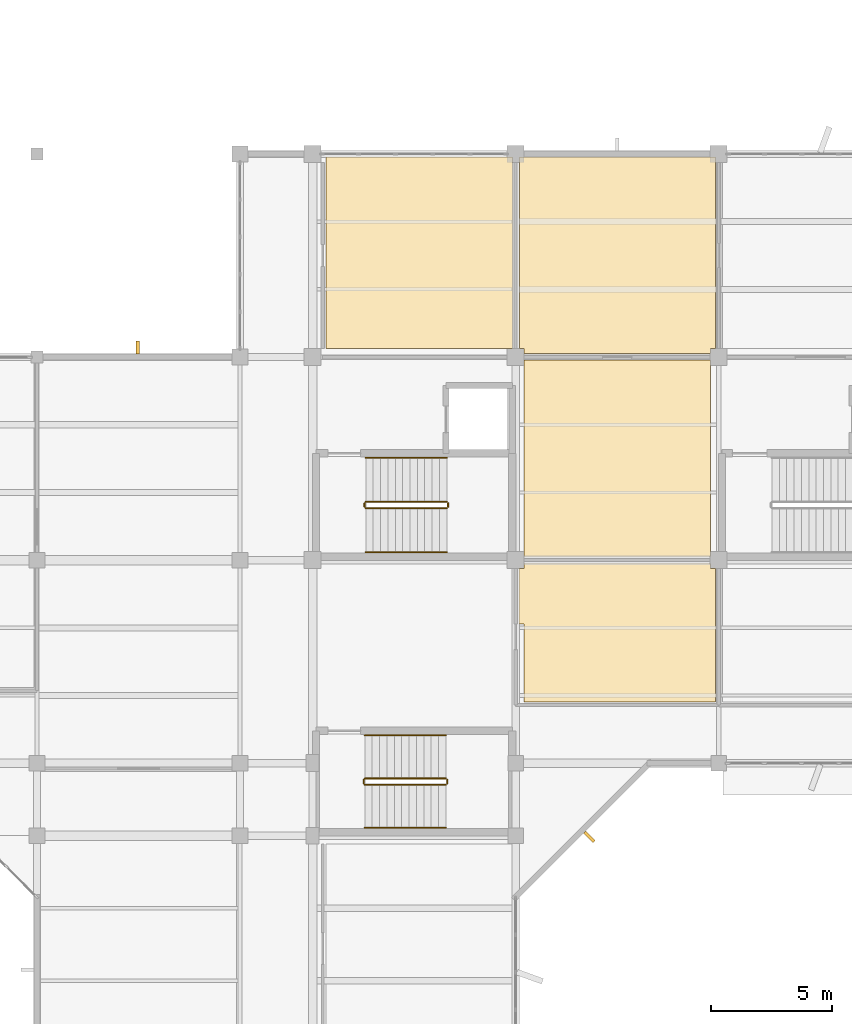
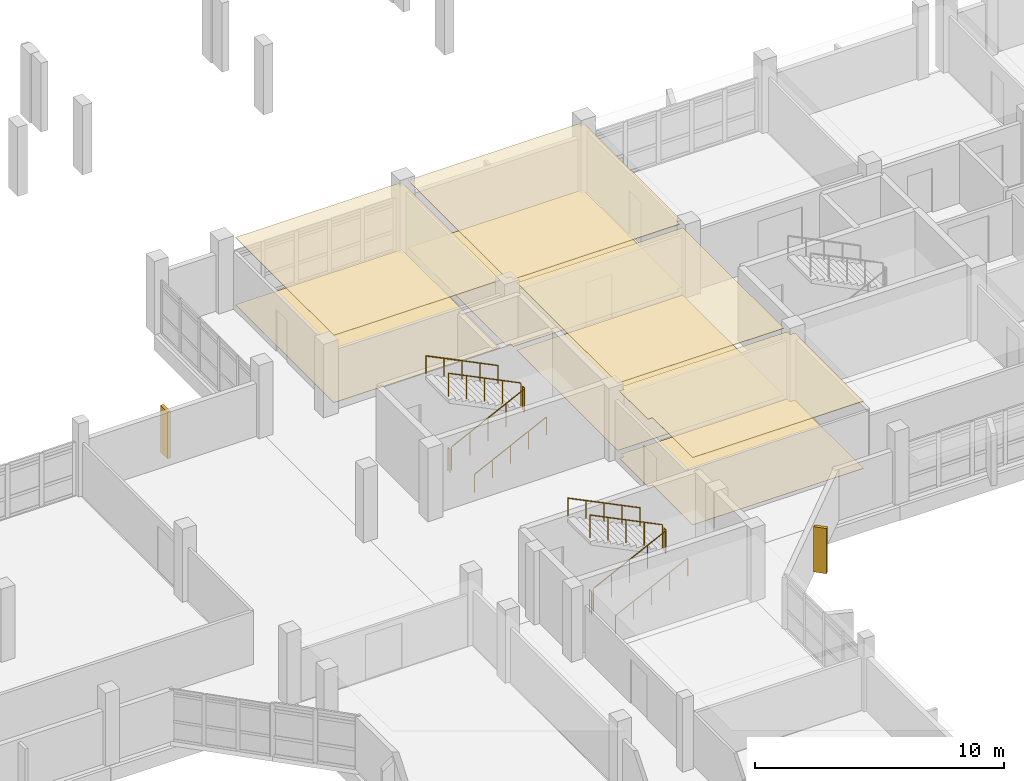
# One storey, part 97 of 104: 12 railings, 8 coverings, 2 shading devices.
"""IFC4 building model written with IfcOpenShell, lengths in metres."""

from ifc_helpers import new_model, si_unit, direction, frame, origin, origin_2d, place, context, subcontext, project, spatial, polyline, rectangle, circle, outline, extrude, material, layer, layer_set, type_object, element, save


model = new_model("IFC4")

# Units and contexts
model_context = context("Model", 3, precision=1e-05, world=origin(), true_north=direction((0.0, 1.0)))
body_context = subcontext(model_context, "Body", "Model", "MODEL_VIEW")
ifc_project = project(units=[si_unit("LENGTHUNIT", "METRE"), si_unit("AREAUNIT", "SQUARE_METRE"), si_unit("VOLUMEUNIT", "CUBIC_METRE"), si_unit("PLANEANGLEUNIT", "RADIAN"), si_unit("MASSUNIT", "GRAM", prefix="KILO")], contexts=[model_context])

# Site, building, storey
site_placement = place(None, origin())
site = spatial("IfcSite", under=ifc_project, at=site_placement, CompositionType="ELEMENT")
building_placement = place(site_placement, origin())
building = spatial("IfcBuilding", under=site, at=building_placement, Name="Vanh Quang Courtyard School", CompositionType="ELEMENT")
storey_placement = place(building_placement, frame((0.0, 0.0, 4.199951171875)))
storey = spatial("IfcBuildingStorey", under=building, at=storey_placement, Name="L01", CompositionType="ELEMENT", Elevation=4.199951171875)

# Coverings
ifc_material_1 = material(Name="Perforated mineral-fibre acoustic ceiling board")
ifc_layer_1 = layer(ifc_material_1, 0.02490234375)
ifc_layer_set_1 = layer_set([ifc_layer_1], Name="Perforated mineral-fibre acoustic ceiling board")
covering_type_1 = type_object("IfcCoveringType", Name="COV-CEIL-ACOUSTIC", PredefinedType="CEILING", material=ifc_layer_set_1)
covering_1_placement = place(storey_placement, frame((0.0, 0.0, 3.295166015625)))
element("IfcCovering", 1, at=covering_1_placement, inside=storey, type_object=covering_type_1, Name="Covering CV-CL1 (L01)", PredefinedType="CEILING", context=body_context, shape_type="SweptSolid", body=[
    extrude(outline(polyline([(77.949951171875, 96.4599609375), (77.949951171875, 96.4609375), (77.9501953125, 96.4619140625), (77.950439453125, 96.462890625), (77.95068359375, 96.4638671875), (77.951171875, 96.464599609375), (77.95166015625, 96.465576171875), (77.952392578125, 96.46630859375), (77.952880859375, 96.467041015625), (77.95361328125, 96.4677734375), (77.954345703125, 96.46826171875), (77.955322265625, 96.46875), (77.956298828125, 96.46923828125), (77.95703125, 96.469482421875), (77.9580078125, 96.4697265625), (77.958984375, 96.469970703125), (77.9599609375, 96.469970703125), (85.659912109375, 96.469970703125), (85.660888671875, 96.469970703125), (85.662109375, 96.4697265625), (85.662841796875, 96.469482421875), (85.663818359375, 96.46923828125), (85.664794921875, 96.46875), (85.66552734375, 96.46826171875), (85.666259765625, 96.4677734375), (85.6669921875, 96.467041015625), (85.667724609375, 96.46630859375), (85.668212890625, 96.465576171875), (85.668701171875, 96.464599609375), (85.669189453125, 96.4638671875), (85.669677734375, 96.462890625), (85.669921875, 96.4619140625), (85.669921875, 96.4609375), (85.669921875, 96.4599609375), (85.669921875, 88.550048828125), (77.949951171875, 88.550048828125), (77.949951171875, 96.4599609375)])), origin(), (0.0, 0.0, 1.0), 0.02490234375),
])
covering_2_placement = place(storey_placement, frame((0.0, 0.0, 3.295166015625)))
element("IfcCovering", 2, at=covering_2_placement, inside=storey, type_object=covering_type_1, Name="Covering CV-CL1 (L01)", PredefinedType="CEILING", context=body_context, shape_type="SweptSolid", body=[
    extrude(outline(polyline([(85.929931640625, 79.449951171875), (86.14990234375, 79.449951171875), (86.14990234375, 79.669921875), (93.85009765625, 79.669921875), (93.85009765625, 79.449951171875), (94.070068359375, 79.449951171875), (94.070068359375, 73.93994140625), (94.070068359375, 73.93896484375), (94.06982421875, 73.93798828125), (94.069580078125, 73.93701171875), (94.069091796875, 73.936279296875), (94.06884765625, 73.935302734375), (94.068359375, 73.934326171875), (94.067626953125, 73.93359375), (94.067138671875, 73.932861328125), (94.06640625, 73.932373046875), (94.065673828125, 73.931640625), (94.064697265625, 73.93115234375), (94.063720703125, 73.930908203125), (94.06298828125, 73.930419921875), (94.06201171875, 73.93017578125), (94.06103515625, 73.929931640625), (94.06005859375, 73.929931640625), (86.14990234375, 73.929931640625), (86.14990234375, 77.14990234375), (85.929931640625, 77.14990234375), (85.929931640625, 79.449951171875)])), origin(), (0.0, 0.0, 1.0), 0.02490234375),
])
covering_3_placement = place(storey_placement, frame((0.0, 0.0, 3.295166015625)))
element("IfcCovering", 3, at=covering_3_placement, inside=storey, type_object=covering_type_1, Name="Covering CV-CL1 (L01)", PredefinedType="CEILING", context=body_context, shape_type="SweptSolid", body=[
    extrude(outline(polyline([(86.14990234375, 79.949951171875), (86.14990234375, 88.070068359375), (93.85009765625, 88.070068359375), (93.85009765625, 79.949951171875), (86.14990234375, 79.949951171875)])), origin(), (0.0, 0.0, 1.0), 0.02490234375),
])
covering_4_placement = place(storey_placement, frame((0.0, 0.0, 3.295166015625)))
element("IfcCovering", 4, at=covering_4_placement, inside=storey, type_object=covering_type_1, Name="Covering CV-CL1 (L01)", PredefinedType="CEILING", context=body_context, shape_type="SweptSolid", body=[
    extrude(outline(polyline([(86.14990234375, 88.35009765625), (86.14990234375, 88.550048828125), (85.949951171875, 88.550048828125), (85.949951171875, 96.4599609375), (85.949951171875, 96.4609375), (85.9501953125, 96.4619140625), (85.950439453125, 96.462890625), (85.95068359375, 96.4638671875), (85.951171875, 96.464599609375), (85.95166015625, 96.465576171875), (85.952392578125, 96.46630859375), (85.952880859375, 96.467041015625), (85.95361328125, 96.4677734375), (85.954345703125, 96.46826171875), (85.955322265625, 96.46875), (85.956298828125, 96.46923828125), (85.95703125, 96.469482421875), (85.9580078125, 96.4697265625), (85.958984375, 96.469970703125), (85.9599609375, 96.469970703125), (94.06005859375, 96.469970703125), (94.06103515625, 96.469970703125), (94.06201171875, 96.4697265625), (94.06298828125, 96.469482421875), (94.063720703125, 96.46923828125), (94.064697265625, 96.46875), (94.065673828125, 96.46826171875), (94.06640625, 96.4677734375), (94.067138671875, 96.467041015625), (94.067626953125, 96.46630859375), (94.068359375, 96.465576171875), (94.06884765625, 96.464599609375), (94.069091796875, 96.4638671875), (94.069580078125, 96.462890625), (94.06982421875, 96.4619140625), (94.070068359375, 96.4609375), (94.070068359375, 96.4599609375), (94.070068359375, 88.550048828125), (93.85009765625, 88.550048828125), (93.85009765625, 88.35009765625), (86.14990234375, 88.35009765625)])), origin(), (0.0, 0.0, 1.0), 0.02490234375),
])
ifc_material_2 = material(Name="Polished cementitious terrazzo tile", Category="concrete")
ifc_layer_2 = layer(ifc_material_2, 0.02001953125)
ifc_layer_set_2 = layer_set([ifc_layer_2], Name="Polished cementitious terrazzo tile")
covering_type_2 = type_object("IfcCoveringType", Name="COV-FLR-TERRAZZO", PredefinedType="FLOORING", material=ifc_layer_set_2)
covering_5_placement = place(storey_placement, origin())
element("IfcCovering", 5, at=covering_5_placement, inside=storey, type_object=covering_type_2, Name="Covering CV-FL1 (L01)", PredefinedType="FLOORING", context=body_context, shape_type="SweptSolid", body=[
    extrude(outline(polyline([(77.949951171875, 96.4599609375), (77.949951171875, 96.4609375), (77.9501953125, 96.4619140625), (77.950439453125, 96.462890625), (77.95068359375, 96.4638671875), (77.951171875, 96.464599609375), (77.95166015625, 96.465576171875), (77.952392578125, 96.46630859375), (77.952880859375, 96.467041015625), (77.95361328125, 96.4677734375), (77.954345703125, 96.46826171875), (77.955322265625, 96.46875), (77.956298828125, 96.46923828125), (77.95703125, 96.469482421875), (77.9580078125, 96.4697265625), (77.958984375, 96.469970703125), (77.9599609375, 96.469970703125), (85.659912109375, 96.469970703125), (85.660888671875, 96.469970703125), (85.662109375, 96.4697265625), (85.662841796875, 96.469482421875), (85.663818359375, 96.46923828125), (85.664794921875, 96.46875), (85.66552734375, 96.46826171875), (85.666259765625, 96.4677734375), (85.6669921875, 96.467041015625), (85.667724609375, 96.46630859375), (85.668212890625, 96.465576171875), (85.668701171875, 96.464599609375), (85.669189453125, 96.4638671875), (85.669677734375, 96.462890625), (85.669921875, 96.4619140625), (85.669921875, 96.4609375), (85.669921875, 96.4599609375), (85.669921875, 88.550048828125), (77.949951171875, 88.550048828125), (77.949951171875, 96.4599609375)])), origin(), (0.0, 0.0, 1.0), 0.02001953125),
])
covering_6_placement = place(storey_placement, origin())
element("IfcCovering", 6, at=covering_6_placement, inside=storey, type_object=covering_type_2, Name="Covering CV-FL1 (L01)", PredefinedType="FLOORING", context=body_context, shape_type="SweptSolid", body=[
    extrude(outline(polyline([(85.929931640625, 79.449951171875), (86.14990234375, 79.449951171875), (86.14990234375, 79.669921875), (93.85009765625, 79.669921875), (93.85009765625, 79.449951171875), (94.070068359375, 79.449951171875), (94.070068359375, 73.93994140625), (94.070068359375, 73.93896484375), (94.06982421875, 73.93798828125), (94.069580078125, 73.93701171875), (94.069091796875, 73.936279296875), (94.06884765625, 73.935302734375), (94.068359375, 73.934326171875), (94.067626953125, 73.93359375), (94.067138671875, 73.932861328125), (94.06640625, 73.932373046875), (94.065673828125, 73.931640625), (94.064697265625, 73.93115234375), (94.063720703125, 73.930908203125), (94.06298828125, 73.930419921875), (94.06201171875, 73.93017578125), (94.06103515625, 73.929931640625), (94.06005859375, 73.929931640625), (86.14990234375, 73.929931640625), (86.14990234375, 77.14990234375), (85.929931640625, 77.14990234375), (85.929931640625, 79.449951171875)])), origin(), (0.0, 0.0, 1.0), 0.02001953125),
])
covering_7_placement = place(storey_placement, origin())
element("IfcCovering", 7, at=covering_7_placement, inside=storey, type_object=covering_type_2, Name="Covering CV-FL1 (L01)", PredefinedType="FLOORING", context=body_context, shape_type="SweptSolid", body=[
    extrude(outline(polyline([(86.14990234375, 79.949951171875), (86.14990234375, 88.070068359375), (93.85009765625, 88.070068359375), (93.85009765625, 79.949951171875), (86.14990234375, 79.949951171875)])), origin(), (0.0, 0.0, 1.0), 0.02001953125),
])
covering_8_placement = place(storey_placement, origin())
element("IfcCovering", 8, at=covering_8_placement, inside=storey, type_object=covering_type_2, Name="Covering CV-FL1 (L01)", PredefinedType="FLOORING", context=body_context, shape_type="SweptSolid", body=[
    extrude(outline(polyline([(86.14990234375, 88.35009765625), (86.14990234375, 88.550048828125), (85.949951171875, 88.550048828125), (85.949951171875, 96.4599609375), (85.949951171875, 96.4609375), (85.9501953125, 96.4619140625), (85.950439453125, 96.462890625), (85.95068359375, 96.4638671875), (85.951171875, 96.464599609375), (85.95166015625, 96.465576171875), (85.952392578125, 96.46630859375), (85.952880859375, 96.467041015625), (85.95361328125, 96.4677734375), (85.954345703125, 96.46826171875), (85.955322265625, 96.46875), (85.956298828125, 96.46923828125), (85.95703125, 96.469482421875), (85.9580078125, 96.4697265625), (85.958984375, 96.469970703125), (85.9599609375, 96.469970703125), (94.06005859375, 96.469970703125), (94.06103515625, 96.469970703125), (94.06201171875, 96.4697265625), (94.06298828125, 96.469482421875), (94.063720703125, 96.46923828125), (94.064697265625, 96.46875), (94.065673828125, 96.46826171875), (94.06640625, 96.4677734375), (94.067138671875, 96.467041015625), (94.067626953125, 96.46630859375), (94.068359375, 96.465576171875), (94.06884765625, 96.464599609375), (94.069091796875, 96.4638671875), (94.069580078125, 96.462890625), (94.06982421875, 96.4619140625), (94.070068359375, 96.4609375), (94.070068359375, 96.4599609375), (94.070068359375, 88.550048828125), (93.85009765625, 88.550048828125), (93.85009765625, 88.35009765625), (86.14990234375, 88.35009765625)])), origin(), (0.0, 0.0, 1.0), 0.02001953125),
])

# Railings
ifc_material_3 = material(Name="Galvanised painted steel EN 10025-2 S355J2", Category="steel")
railing_type_1 = type_object("IfcRailingType", Name="RAIL-GUARD-1150", PredefinedType="BALUSTRADE", material=ifc_material_3)
railing_1_placement = place(storey_placement, frame((79.60009765625, 81.949951171875, 0.150146484375)))
element("IfcRailing", 9, at=railing_1_placement, inside=storey, type_object=railing_type_1, Name="L01 ST-01 stair guard 1", PredefinedType="BALUSTRADE", context=body_context, shape_type="SweptSolid", body=[
    extrude(circle(Radius=0.02392578125, at=origin_2d()), frame((0.0, 0.0, 1.1259765625), z_axis=(0.897359292542, 0.0, 0.441300691239), x_axis=(0.0, 1.0, 0.0)), (0.0, 0.0, 1.0), 3.73876953125),
    extrude(circle(Radius=0.02099609375, at=origin_2d()), origin(), (0.0, 0.0, 1.0), 1.101806640625),
    extrude(circle(Radius=0.02099609375, at=origin_2d()), frame((0.8388671875, 0.0, 0.41259765625)), (0.0, 0.0, 1.0), 1.101806640625),
    extrude(circle(Radius=0.02099609375, at=origin_2d()), frame((1.677490234375, 0.0, 0.824951171875)), (0.0, 0.0, 1.0), 1.101806640625),
    extrude(circle(Radius=0.02099609375, at=origin_2d()), frame((2.51611328125, 0.0, 1.2373046875)), (0.0, 0.0, 1.0), 1.101806640625),
    extrude(circle(Radius=0.02099609375, at=origin_2d()), frame((3.35498046875, 0.0, 1.64990234375)), (0.0, 0.0, 1.0), 1.101806640625),
])
railing_2_placement = place(storey_placement, frame((83.0048828125, 82.0, 1.800048828125)))
element("IfcRailing", 10, at=railing_2_placement, inside=storey, type_object=railing_type_1, Name="L01 ST-01 stair guard 2", PredefinedType="BALUSTRADE", context=body_context, shape_type="SweptSolid", body=[
    extrude(circle(Radius=0.02392578125, at=origin_2d()), frame((0.0, 0.0, 1.1259765625), z_axis=(0.0, 1.0, 0.0), x_axis=(-1.0, 0.0, 0.0)), (0.0, 0.0, 1.0), 0.159912109375),
    extrude(circle(Radius=0.02099609375, at=origin_2d()), origin(), (0.0, 0.0, 1.0), 1.101806640625),
    extrude(circle(Radius=0.02099609375, at=origin_2d()), frame((0.0, 0.159912109375, 0.0)), (0.0, 0.0, 1.0), 1.101806640625),
])
railing_3_placement = place(storey_placement, frame((82.955078125, 82.2099609375, 1.949951171875)))
element("IfcRailing", 11, at=railing_3_placement, inside=storey, type_object=railing_type_1, Name="L01 ST-01 stair guard 3", PredefinedType="BALUSTRADE", context=body_context, shape_type="SweptSolid", body=[
    extrude(circle(Radius=0.02392578125, at=origin_2d()), frame((0.0, 0.0, 1.1259765625), z_axis=(-0.89733343241, 0.0, 0.441353272424), x_axis=(0.0, -1.0, 0.0)), (0.0, 0.0, 1.0), 3.73876953125),
    extrude(circle(Radius=0.02099609375, at=origin_2d()), origin(), (0.0, 0.0, 1.0), 1.101806640625),
    extrude(circle(Radius=0.02099609375, at=origin_2d()), frame((-0.8388671875, 0.0, 0.41259765625)), (0.0, 0.0, 1.0), 1.101806640625),
    extrude(circle(Radius=0.02099609375, at=origin_2d()), frame((-1.677490234375, 0.0, 0.8251953125)), (0.0, 0.0, 1.0), 1.101806640625),
    extrude(circle(Radius=0.02099609375, at=origin_2d()), frame((-2.51611328125, 0.0, 1.237548828125)), (0.0, 0.0, 1.0), 1.101806640625),
    extrude(circle(Radius=0.02099609375, at=origin_2d()), frame((-3.35498046875, 0.0, 1.650146484375)), (0.0, 0.0, 1.0), 1.101806640625),
])
railing_4_placement = place(storey_placement, frame((79.550048828125, 82.0, 0.0)))
element("IfcRailing", 12, at=railing_4_placement, inside=storey, type_object=railing_type_1, Name="L01 ST-01 stair guard 4", PredefinedType="BALUSTRADE", context=body_context, shape_type="SweptSolid", body=[
    extrude(circle(Radius=0.02392578125, at=origin_2d()), frame((0.0, 0.0, 1.1259765625), z_axis=(0.0, 1.0, 0.0), x_axis=(-1.0, 0.0, 0.0)), (0.0, 0.0, 1.0), 0.159912109375),
    extrude(circle(Radius=0.02099609375, at=origin_2d()), origin(), (0.0, 0.0, 1.0), 1.101806640625),
    extrude(circle(Radius=0.02099609375, at=origin_2d()), frame((0.0, 0.159912109375, 0.0)), (0.0, 0.0, 1.0), 1.101806640625),
])
railing_5_placement = place(storey_placement, frame((79.56005859375, 70.510009765625, 0.150146484375)))
element("IfcRailing", 13, at=railing_5_placement, inside=storey, type_object=railing_type_1, Name="L01 ST-05 stair guard 1", PredefinedType="BALUSTRADE", context=body_context, shape_type="SweptSolid", body=[
    extrude(circle(Radius=0.02392578125, at=origin_2d()), frame((0.0, 0.0, 1.1259765625), z_axis=(0.897359292542, 0.0, 0.441300691239), x_axis=(0.0, 1.0, 0.0)), (0.0, 0.0, 1.0), 3.73876953125),
    extrude(circle(Radius=0.02099609375, at=origin_2d()), origin(), (0.0, 0.0, 1.0), 1.101806640625),
    extrude(circle(Radius=0.02099609375, at=origin_2d()), frame((0.8388671875, 0.0, 0.41259765625)), (0.0, 0.0, 1.0), 1.101806640625),
    extrude(circle(Radius=0.02099609375, at=origin_2d()), frame((1.677490234375, 0.0, 0.824951171875)), (0.0, 0.0, 1.0), 1.101806640625),
    extrude(circle(Radius=0.02099609375, at=origin_2d()), frame((2.51611328125, 0.0, 1.2373046875)), (0.0, 0.0, 1.0), 1.101806640625),
    extrude(circle(Radius=0.02099609375, at=origin_2d()), frame((3.35498046875, 0.0, 1.64990234375)), (0.0, 0.0, 1.0), 1.101806640625),
])
railing_6_placement = place(storey_placement, frame((82.965087890625, 70.56005859375, 1.800048828125)))
element("IfcRailing", 14, at=railing_6_placement, inside=storey, type_object=railing_type_1, Name="L01 ST-05 stair guard 2", PredefinedType="BALUSTRADE", context=body_context, shape_type="SweptSolid", body=[
    extrude(circle(Radius=0.02392578125, at=origin_2d()), frame((0.0, 0.0, 1.1259765625), z_axis=(0.0, 1.0, 0.0), x_axis=(-1.0, 0.0, 0.0)), (0.0, 0.0, 1.0), 0.159912109375),
    extrude(circle(Radius=0.02099609375, at=origin_2d()), origin(), (0.0, 0.0, 1.0), 1.101806640625),
    extrude(circle(Radius=0.02099609375, at=origin_2d()), frame((0.0, 0.159912109375, 0.0)), (0.0, 0.0, 1.0), 1.101806640625),
])
railing_7_placement = place(storey_placement, frame((82.9150390625, 70.77001953125, 1.949951171875)))
element("IfcRailing", 15, at=railing_7_placement, inside=storey, type_object=railing_type_1, Name="L01 ST-05 stair guard 3", PredefinedType="BALUSTRADE", context=body_context, shape_type="SweptSolid", body=[
    extrude(circle(Radius=0.02392578125, at=origin_2d()), frame((0.0, 0.0, 1.1259765625), z_axis=(-0.89733343241, 0.0, 0.441353272424), x_axis=(0.0, -1.0, 0.0)), (0.0, 0.0, 1.0), 3.73876953125),
    extrude(circle(Radius=0.02099609375, at=origin_2d()), origin(), (0.0, 0.0, 1.0), 1.101806640625),
    extrude(circle(Radius=0.02099609375, at=origin_2d()), frame((-0.8388671875, 0.0, 0.41259765625)), (0.0, 0.0, 1.0), 1.101806640625),
    extrude(circle(Radius=0.02099609375, at=origin_2d()), frame((-1.677490234375, 0.0, 0.8251953125)), (0.0, 0.0, 1.0), 1.101806640625),
    extrude(circle(Radius=0.02099609375, at=origin_2d()), frame((-2.51611328125, 0.0, 1.237548828125)), (0.0, 0.0, 1.0), 1.101806640625),
    extrude(circle(Radius=0.02099609375, at=origin_2d()), frame((-3.35498046875, 0.0, 1.650146484375)), (0.0, 0.0, 1.0), 1.101806640625),
])
railing_8_placement = place(storey_placement, frame((79.510009765625, 70.56005859375, 0.0)))
element("IfcRailing", 16, at=railing_8_placement, inside=storey, type_object=railing_type_1, Name="L01 ST-05 stair guard 4", PredefinedType="BALUSTRADE", context=body_context, shape_type="SweptSolid", body=[
    extrude(circle(Radius=0.02392578125, at=origin_2d()), frame((0.0, 0.0, 1.1259765625), z_axis=(0.0, 1.0, 0.0), x_axis=(-1.0, 0.0, 0.0)), (0.0, 0.0, 1.0), 0.159912109375),
    extrude(circle(Radius=0.02099609375, at=origin_2d()), origin(), (0.0, 0.0, 1.0), 1.101806640625),
    extrude(circle(Radius=0.02099609375, at=origin_2d()), frame((0.0, 0.159912109375, 0.0)), (0.0, 0.0, 1.0), 1.101806640625),
])
ifc_material_4 = material(Name="Brushed stainless steel", Category="steel")
railing_type_2 = type_object("IfcRailingType", Name="RAIL-HAND-900", PredefinedType="HANDRAIL", material=ifc_material_4)
railing_9_placement = place(storey_placement, frame((79.60009765625, 80.1298828125, 0.150146484375)))
element("IfcRailing", 17, at=railing_9_placement, inside=storey, type_object=railing_type_2, Name="L01 ST-01 stair handrail 1", PredefinedType="HANDRAIL", context=body_context, shape_type="SweptSolid", body=[
    extrude(circle(Radius=0.02392578125, at=origin_2d()), frame((0.0, 0.0, 0.8759765625), z_axis=(0.897359292542, 0.0, 0.441300691239), x_axis=(0.0, 1.0, 0.0)), (0.0, 0.0, 1.0), 3.73876953125),
    extrude(circle(Radius=0.02099609375, at=origin_2d()), origin(), (0.0, 0.0, 1.0), 0.851806640625),
    extrude(circle(Radius=0.02099609375, at=origin_2d()), frame((0.8388671875, 0.0, 0.41259765625)), (0.0, 0.0, 1.0), 0.851806640625),
    extrude(circle(Radius=0.02099609375, at=origin_2d()), frame((1.677490234375, 0.0, 0.824951171875)), (0.0, 0.0, 1.0), 0.851806640625),
    extrude(circle(Radius=0.02099609375, at=origin_2d()), frame((2.51611328125, 0.0, 1.2373046875)), (0.0, 0.0, 1.0), 0.851806640625),
    extrude(circle(Radius=0.02099609375, at=origin_2d()), frame((3.35498046875, 0.0, 1.64990234375)), (0.0, 0.0, 1.0), 0.851806640625),
])
railing_10_placement = place(storey_placement, frame((82.955078125, 84.030029296875, 1.949951171875)))
element("IfcRailing", 18, at=railing_10_placement, inside=storey, type_object=railing_type_2, Name="L01 ST-01 stair handrail 2", PredefinedType="HANDRAIL", context=body_context, shape_type="SweptSolid", body=[
    extrude(circle(Radius=0.02392578125, at=origin_2d()), frame((0.0, 0.0, 0.8759765625), z_axis=(-0.89733343241, 0.0, 0.441353272424), x_axis=(0.0, -1.0, 0.0)), (0.0, 0.0, 1.0), 3.73876953125),
    extrude(circle(Radius=0.02099609375, at=origin_2d()), origin(), (0.0, 0.0, 1.0), 0.851806640625),
    extrude(circle(Radius=0.02099609375, at=origin_2d()), frame((-0.8388671875, 0.0, 0.41259765625)), (0.0, 0.0, 1.0), 0.851806640625),
    extrude(circle(Radius=0.02099609375, at=origin_2d()), frame((-1.677490234375, 0.0, 0.8251953125)), (0.0, 0.0, 1.0), 0.851806640625),
    extrude(circle(Radius=0.02099609375, at=origin_2d()), frame((-2.51611328125, 0.0, 1.237548828125)), (0.0, 0.0, 1.0), 0.851806640625),
    extrude(circle(Radius=0.02099609375, at=origin_2d()), frame((-3.35498046875, 0.0, 1.650146484375)), (0.0, 0.0, 1.0), 0.851806640625),
])
railing_11_placement = place(storey_placement, frame((79.56005859375, 68.72998046875, 0.150146484375)))
element("IfcRailing", 19, at=railing_11_placement, inside=storey, type_object=railing_type_2, Name="L01 ST-05 stair handrail 1", PredefinedType="HANDRAIL", context=body_context, shape_type="SweptSolid", body=[
    extrude(circle(Radius=0.02392578125, at=origin_2d()), frame((0.0, 0.0, 0.8759765625), z_axis=(0.897359292542, 0.0, 0.441300691239), x_axis=(0.0, 1.0, 0.0)), (0.0, 0.0, 1.0), 3.73876953125),
    extrude(circle(Radius=0.02099609375, at=origin_2d()), origin(), (0.0, 0.0, 1.0), 0.851806640625),
    extrude(circle(Radius=0.02099609375, at=origin_2d()), frame((0.8388671875, 0.0, 0.41259765625)), (0.0, 0.0, 1.0), 0.851806640625),
    extrude(circle(Radius=0.02099609375, at=origin_2d()), frame((1.677490234375, 0.0, 0.824951171875)), (0.0, 0.0, 1.0), 0.851806640625),
    extrude(circle(Radius=0.02099609375, at=origin_2d()), frame((2.51611328125, 0.0, 1.2373046875)), (0.0, 0.0, 1.0), 0.851806640625),
    extrude(circle(Radius=0.02099609375, at=origin_2d()), frame((3.35498046875, 0.0, 1.64990234375)), (0.0, 0.0, 1.0), 0.851806640625),
])
railing_12_placement = place(storey_placement, frame((82.9150390625, 72.550048828125, 1.949951171875)))
element("IfcRailing", 20, at=railing_12_placement, inside=storey, type_object=railing_type_2, Name="L01 ST-05 stair handrail 2", PredefinedType="HANDRAIL", context=body_context, shape_type="SweptSolid", body=[
    extrude(circle(Radius=0.02392578125, at=origin_2d()), frame((0.0, 0.0, 0.8759765625), z_axis=(-0.89733343241, 0.0, 0.441353272424), x_axis=(0.0, -1.0, 0.0)), (0.0, 0.0, 1.0), 3.73876953125),
    extrude(circle(Radius=0.02099609375, at=origin_2d()), origin(), (0.0, 0.0, 1.0), 0.851806640625),
    extrude(circle(Radius=0.02099609375, at=origin_2d()), frame((-0.8388671875, 0.0, 0.41259765625)), (0.0, 0.0, 1.0), 0.851806640625),
    extrude(circle(Radius=0.02099609375, at=origin_2d()), frame((-1.677490234375, 0.0, 0.8251953125)), (0.0, 0.0, 1.0), 0.851806640625),
    extrude(circle(Radius=0.02099609375, at=origin_2d()), frame((-2.51611328125, 0.0, 1.237548828125)), (0.0, 0.0, 1.0), 0.851806640625),
    extrude(circle(Radius=0.02099609375, at=origin_2d()), frame((-3.35498046875, 0.0, 1.650146484375)), (0.0, 0.0, 1.0), 0.851806640625),
])

# Shading devices
ifc_material_5 = material(Name="Board-marked precast concrete C40/50", Category="concrete")
shading_device_type = type_object("IfcShadingDeviceType", Name="SHD-FIN-CONCRETE", PredefinedType="USERDEFINED", material=ifc_material_5)
shading_device_1_placement = place(storey_placement, frame((70.16259765625, 88.594970703125, 0.14990234375), z_axis=(0.0, 0.0, 1.0), x_axis=(1.0, 0.0, 0.0)))
element("IfcShadingDevice", 21, at=shading_device_1_placement, inside=storey, type_object=shading_device_type, Name="Solar Shading SH-02 (L01)", ObjectType="Solar Shading SH-02 (L01)", PredefinedType="USERDEFINED", context=body_context, shape_type="SweptSolid", body=[
    extrude(rectangle(XDim=0.139892578125, YDim=0.550048828125, at=origin_2d()), origin(), (0.0, 0.0, 1.0), 2.300048828125),
])
shading_device_2_placement = place(storey_placement, frame((88.851318359375, 68.3486328125, 0.14990234375), z_axis=(0.0, 0.0, 1.0), x_axis=(-0.707106781187, -0.707106781187, 0.0)))
element("IfcShadingDevice", 22, at=shading_device_2_placement, inside=storey, type_object=shading_device_type, Name="Solar Shading SH-02 (L01)", ObjectType="Solar Shading SH-02 (L01)", PredefinedType="USERDEFINED", context=body_context, shape_type="SweptSolid", body=[
    extrude(rectangle(XDim=0.139892578125, YDim=0.550048828125, at=origin_2d()), origin(), (0.0, 0.0, 1.0), 2.219970703125),
])

save(model, "model.ifc")
